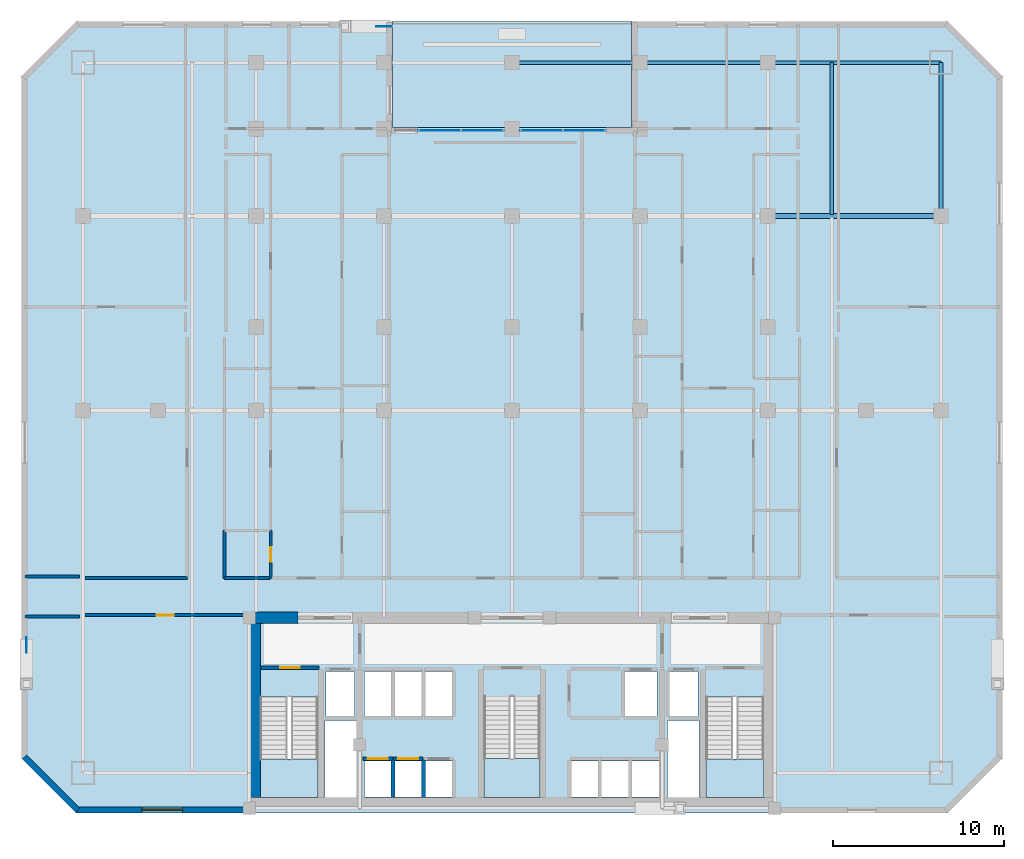
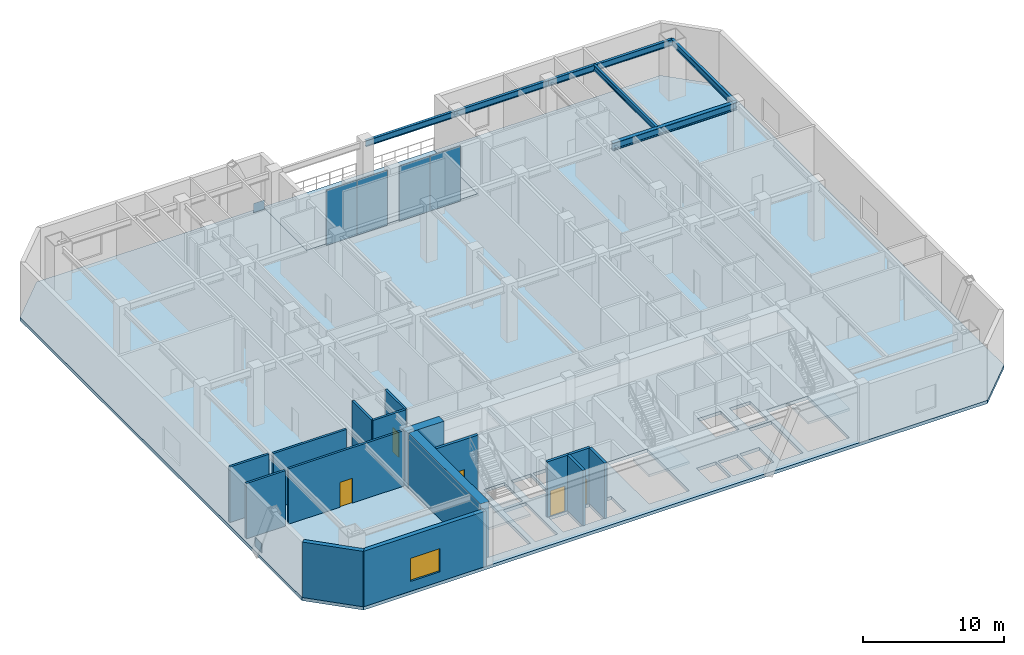
# One storey, part 6 of 12: 16 walls, 6 beams, 6 plates, 5 doors, 5 slabs, 1 window, 6 openings, 5 elements without a shape of their own.
"""IFC4 building model written with IfcOpenShell, lengths in metres."""

from ifc_helpers import new_model, si_unit, direction, frame, frame_2d, origin, origin_2d, place, context, subcontext, project, spatial, polyline, rectangle, i_section, outline, extrude, material, layer, layer_set, material_profile, profile_set, type_object, element, fill, aggregate, save


model = new_model("IFC4")

# Units and contexts
model_context = context("Model", 3, precision=1e-05, world=origin(), true_north=direction((0.0, 1.0)))
body_context = subcontext(model_context, "Body", "Model", "MODEL_VIEW")
ifc_project = project(units=[si_unit("LENGTHUNIT", "METRE"), si_unit("AREAUNIT", "SQUARE_METRE"), si_unit("VOLUMEUNIT", "CUBIC_METRE"), si_unit("PLANEANGLEUNIT", "RADIAN"), si_unit("MASSUNIT", "GRAM", prefix="KILO")], contexts=[model_context])

# Site, building, storey
site_placement = place(None, origin())
site = spatial("IfcSite", under=ifc_project, at=site_placement, CompositionType="ELEMENT")
building_placement = place(site_placement, origin())
building = spatial("IfcBuilding", under=site, at=building_placement, Name="Ventersveld Concourse Tower", CompositionType="ELEMENT")
storey_placement = place(building_placement, frame((0.0, 0.0, 76.0)))
storey = spatial("IfcBuildingStorey", under=building, at=storey_placement, Name="L18", CompositionType="ELEMENT", Elevation=76.0)

# Beams
ifc_material_1 = material(Name="Structural steel S355J2", Category="steel")
ifc_material_profile_1 = material_profile(ifc_material_1, i_section(OverallWidth=0.19140625, OverallDepth=0.4599609375, WebThickness=0.010009765625, FlangeThickness=0.01611328125, FilletRadius=0.01025390625, at=origin_2d()), Name="UB 457x191x82")
ifc_profile_set_1 = profile_set([ifc_material_profile_1], Name="Structural steel S355J2")
beam_type_1 = type_object("IfcBeamType", Name="BM-UB457H", PredefinedType="BEAM", material=ifc_profile_set_1)
beam_1_placement = place(storey_placement, frame((47.5, 35.094970703125, 4.570068359375), z_axis=(0.0, 1.0, 0.0), x_axis=(-1.0, 0.0, 0.0)))
element("IfcBeam", 1, at=beam_1_placement, inside=storey, type_object=beam_type_1, Name="L18 N-S Composite Floor Beam North X=47.50", PredefinedType="BEAM", context=body_context, shape_type="SweptSolid", body=[
    extrude(i_section(OverallWidth=0.19140625, OverallDepth=0.4599609375, WebThickness=0.010009765625, FlangeThickness=0.01611328125, FilletRadius=0.01025390625, at=origin_2d()), origin(), (0.0, 0.0, 1.0), 8.905029296875),
])
ifc_material_profile_2 = material_profile(ifc_material_1, i_section(OverallWidth=0.311279296875, OverallDepth=0.6357421875, WebThickness=0.018310546875, FlangeThickness=0.031494140625, FilletRadius=0.0166015625, at=origin_2d()), Name="UB 610x305x238")
ifc_profile_set_2 = profile_set([ifc_material_profile_2], Name="Structural steel S355J2")
beam_type_2 = type_object("IfcBeamType", Name="GRD-UB610H", PredefinedType="USERDEFINED", material=ifc_profile_set_2)
beam_2_placement = place(storey_placement, frame((43.75, 35.0, 4.482177734375), z_axis=(1.0, 0.0, 0.0), x_axis=(0.0, 1.0, 0.0)))
element("IfcBeam", 2, at=beam_2_placement, inside=storey, type_object=beam_type_2, Name="L18 E-W Grid Girder Y=35.00 #6", ObjectType="GIRDER", PredefinedType="USERDEFINED", context=body_context, shape_type="SweptSolid", body=[
    extrude(i_section(OverallWidth=0.311279296875, OverallDepth=0.6357421875, WebThickness=0.018310546875, FlangeThickness=0.031494140625, FilletRadius=0.0166015625, at=origin_2d()), origin(), (0.0, 0.0, 1.0), 10.14990234375),
])
ifc_material_profile_3 = material_profile(ifc_material_1, i_section(OverallWidth=0.2119140625, OverallDepth=0.54443359375, WebThickness=0.0126953125, FlangeThickness=0.021240234375, FilletRadius=0.0126953125, at=origin_2d()), Name="UB 533x210x122")
ifc_profile_set_3 = profile_set([ifc_material_profile_3], Name="Structural steel S355J2")
beam_type_3 = type_object("IfcBeamType", Name="SPD-UB533", PredefinedType="SPANDREL", material=ifc_profile_set_3)
beam_3_placement = place(storey_placement, frame((53.89990234375, 35.0, 4.527587890625), z_axis=(0.0, 1.0, 0.0), x_axis=(-1.0, 0.0, 0.0)))
element("IfcBeam", 3, at=beam_3_placement, inside=storey, type_object=beam_type_3, Name="L18 East Spandrel Beam N", PredefinedType="SPANDREL", context=body_context, shape_type="SweptSolid", body=[
    extrude(i_section(OverallWidth=0.2119140625, OverallDepth=0.54443359375, WebThickness=0.0126953125, FlangeThickness=0.021240234375, FilletRadius=0.0126953125, at=origin_2d()), origin(), (0.0, 0.0, 1.0), 9.0),
])
for number, where, z_axis, x_axis, name in (
    (4, (28.75, 44.0, 4.527587890625), (1.0, 0.0, 0.0), (0.0, 1.0, 0.0), "L18 North Spandrel Girder Y=44.00 #4"),
    (5, (36.25, 44.0, 4.527587890625), (1.0, 0.0, 0.0), (0.0, 1.0, 0.0), "L18 North Spandrel Girder Y=44.00 #5"),
):
    element("IfcBeam", number, at=place(storey_placement, frame(where, z_axis=z_axis, x_axis=x_axis)), inside=storey, type_object=beam_type_3, Name=name, PredefinedType="SPANDREL", context=body_context, shape_type="SweptSolid", body=[
        extrude(i_section(OverallWidth=0.2119140625, OverallDepth=0.54443359375, WebThickness=0.0126953125, FlangeThickness=0.021240234375, FilletRadius=0.0126953125, at=origin_2d()), origin(), (0.0, 0.0, 1.0), 7.5),
    ])
beam_4_placement = place(storey_placement, frame((43.75, 44.0, 4.527587890625), z_axis=(1.0, 0.0, 0.0), x_axis=(0.0, 1.0, 0.0)))
element("IfcBeam", 6, at=beam_4_placement, inside=storey, type_object=beam_type_3, Name="L18 North Spandrel Girder Y=44.00 #6", PredefinedType="SPANDREL", context=body_context, shape_type="SweptSolid", body=[
    extrude(i_section(OverallWidth=0.2119140625, OverallDepth=0.54443359375, WebThickness=0.0126953125, FlangeThickness=0.021240234375, FilletRadius=0.0126953125, at=origin_2d()), origin(), (0.0, 0.0, 1.0), 10.14990234375),
])

# Curtain wall, plates
ifc_material_2 = material(Name="Anodised aluminium EN AW-6063-T6", Category="aluminium")
curtain_wall_type = type_object("IfcCurtainWallType", Name="CW-SG-4", PredefinedType="NOTDEFINED", material=ifc_material_2)
curtain_wall_1_placement = place(storey_placement, origin())
curtain_wall_1 = element("IfcCurtainWall", 7, at=curtain_wall_1_placement, inside=storey, type_object=curtain_wall_type, Name="L18 L18 Sky Garden Recessed Curtain Wall", PredefinedType="NOTDEFINED")
ifc_material_3 = material(Name="Low-E double glazing IGU", Category="glass")
ifc_layer_1 = layer(ifc_material_3, 0.02392578125)
ifc_layer_set_1 = layer_set([ifc_layer_1], Name="Low-E double glazing IGU")
plate_type_1 = type_object("IfcPlateType", Name="CWP-GLZ-24", PredefinedType="CURTAIN_PANEL", material=ifc_layer_set_1)
plate_1_placement = place(storey_placement, frame((24.5048828125, 40.02490234375, 0.02001953125), z_axis=(0.0, 0.0, 1.0), x_axis=(1.0, 0.0, 0.0)))
plate_1 = element("IfcPlate", 8, at=plate_1_placement, type_object=plate_type_1, Name="CW-L18-SG-S1 Glazed Panel 01-1", PredefinedType="CURTAIN_PANEL", context=body_context, shape_type="SweptSolid", body=[
    extrude(rectangle(XDim=2.5, YDim=0.02392578125, at=origin_2d()), origin(), (0.0, 0.0, 1.0), 4.760009765625),
])
plate_2_placement = place(storey_placement, frame((27.014892578125, 40.02490234375, 0.02001953125), z_axis=(0.0, 0.0, 1.0), x_axis=(1.0, 0.0, 0.0)))
plate_2 = element("IfcPlate", 9, at=plate_2_placement, type_object=plate_type_1, Name="CW-L18-SG-S1 Glazed Panel 02-1", PredefinedType="CURTAIN_PANEL", context=body_context, shape_type="SweptSolid", body=[
    extrude(rectangle(XDim=2.5, YDim=0.02392578125, at=origin_2d()), origin(), (0.0, 0.0, 1.0), 4.760009765625),
])
aggregate(curtain_wall_1, [plate_1, plate_2])

curtain_wall_2_placement = place(storey_placement, origin())
curtain_wall_2 = element("IfcCurtainWall", 10, at=curtain_wall_2_placement, inside=storey, type_object=curtain_wall_type, Name="L18 L18 Sky Garden Recessed Curtain Wall", PredefinedType="NOTDEFINED")
plate_3_placement = place(storey_placement, frame((30.485107421875, 40.02490234375, 0.02001953125), z_axis=(0.0, 0.0, 1.0), x_axis=(1.0, 0.0, 0.0)))
plate_3 = element("IfcPlate", 11, at=plate_3_placement, type_object=plate_type_1, Name="CW-L18-SG-S2 Glazed Panel 01-1", PredefinedType="CURTAIN_PANEL", context=body_context, shape_type="SweptSolid", body=[
    extrude(rectangle(XDim=2.5, YDim=0.02392578125, at=origin_2d()), origin(), (0.0, 0.0, 1.0), 4.760009765625),
])
plate_4_placement = place(storey_placement, frame((32.9951171875, 40.02490234375, 0.02001953125), z_axis=(0.0, 0.0, 1.0), x_axis=(1.0, 0.0, 0.0)))
plate_4 = element("IfcPlate", 12, at=plate_4_placement, type_object=plate_type_1, Name="CW-L18-SG-S2 Glazed Panel 02-1", PredefinedType="CURTAIN_PANEL", context=body_context, shape_type="SweptSolid", body=[
    extrude(rectangle(XDim=2.5, YDim=0.02392578125, at=origin_2d()), origin(), (0.0, 0.0, 1.0), 4.760009765625),
])
aggregate(curtain_wall_2, [plate_3, plate_4])

# Plates
ifc_layer_2 = layer(ifc_material_1, 0.030029296875)
ifc_layer_set_2 = layer_set([ifc_layer_2], Name="Structural steel S355J2")
plate_type_2 = type_object("IfcPlateType", Name="PL-CAP-30", PredefinedType="USERDEFINED", material=ifc_layer_set_2)
for number, where, z_axis, x_axis, name in (
    (13, (21.25, 46.1201171875, -0.099853515625), (0.0, 0.0, 1.0), (1.0, 0.0, 0.0), "L18 Mega-Brace Gusset Node Plate M04-N"),
    (14, (0.280029296875, 9.85009765625, -0.099853515625), (0.0, 0.0, 1.0), (0.0, 1.0, 0.0), "L18 Mega-Brace Gusset Node Plate M04-W"),
):
    element("IfcPlate", number, at=place(storey_placement, frame(where, z_axis=z_axis, x_axis=x_axis)), inside=storey, type_object=plate_type_2, Name=name, ObjectType="GUSSET_PLATE", PredefinedType="USERDEFINED", context=body_context, shape_type="SweptSolid", body=[
        extrude(rectangle(XDim=0.89990234375, YDim=0.030029296875, at=origin_2d()), origin(), (0.0, 0.0, 1.0), 0.89990234375),
    ])

# Slab
ifc_material_4 = material(Name="Concrete C50/60", Category="concrete")
ifc_layer_3 = layer(ifc_material_4, 0.280029296875)
ifc_layer_set_3 = layer_set([ifc_layer_3], Name="Concrete C50/60")
slab_type_1 = type_object("IfcSlabType", Name="SL-FLR-280", PredefinedType="FLOOR", material=ifc_layer_set_3)
slab_1_placement = place(storey_placement, frame((0.0, 0.0, -0.280029296875)))
element("IfcSlab", 15, at=slab_1_placement, inside=storey, type_object=slab_type_1, Name="L18 Composite Floor Slab", PredefinedType="FLOOR", context=body_context, shape_type="SweptSolid", body=[
    extrude(outline(polyline([(3.199951171875, 0.0), (54.300048828125, 0.0), (57.5, 3.199951171875), (57.5, 43.199951171875), (54.300048828125, 46.39990234375), (35.75, 46.39990234375), (35.75, 40.199951171875), (21.75, 40.199951171875), (21.75, 46.39990234375), (3.199951171875, 46.39990234375), (0.0, 43.199951171875), (0.0, 3.199951171875), (3.199951171875, 0.0)]), holes=[polyline([(13.97998046875, 6.794921875), (13.97998046875, 0.89990234375), (17.3798828125, 0.89990234375), (17.3798828125, 6.794921875), (13.97998046875, 6.794921875)]), polyline([(40.1201171875, 6.794921875), (40.1201171875, 0.89990234375), (43.52001953125, 0.89990234375), (43.52001953125, 6.794921875), (40.1201171875, 6.794921875)]), polyline([(27.10009765625, 6.844970703125), (27.10009765625, 0.89990234375), (30.39990234375, 0.89990234375), (30.39990234375, 6.844970703125), (27.10009765625, 6.844970703125)]), polyline([(17.85009765625, 5.699951171875), (19.530029296875, 5.699951171875), (19.530029296875, 8.300048828125), (17.85009765625, 8.300048828125), (17.85009765625, 5.699951171875)]), polyline([(37.969970703125, 5.699951171875), (39.64990234375, 5.699951171875), (39.64990234375, 8.300048828125), (37.969970703125, 8.300048828125), (37.969970703125, 5.699951171875)]), polyline([(35.35009765625, 5.699951171875), (37.25, 5.699951171875), (37.25, 8.300048828125), (35.35009765625, 8.300048828125), (35.35009765625, 5.699951171875)]), polyline([(20.090087890625, 0.949951171875), (21.68994140625, 0.949951171875), (21.68994140625, 3.050048828125), (20.090087890625, 3.050048828125), (20.090087890625, 0.949951171875)]), polyline([(21.8701171875, 0.949951171875), (23.469970703125, 0.949951171875), (23.469970703125, 3.050048828125), (21.8701171875, 3.050048828125), (21.8701171875, 0.949951171875)]), polyline([(23.64990234375, 0.949951171875), (25.25, 0.949951171875), (25.25, 3.050048828125), (23.64990234375, 3.050048828125), (23.64990234375, 0.949951171875)]), polyline([(32.2099609375, 0.949951171875), (33.81005859375, 0.949951171875), (33.81005859375, 3.050048828125), (32.2099609375, 3.050048828125), (32.2099609375, 0.949951171875)]), polyline([(33.989990234375, 0.949951171875), (35.590087890625, 0.949951171875), (35.590087890625, 3.050048828125), (33.989990234375, 3.050048828125), (33.989990234375, 0.949951171875)]), polyline([(35.77001953125, 0.949951171875), (37.3701171875, 0.949951171875), (37.3701171875, 3.050048828125), (35.77001953125, 3.050048828125), (35.77001953125, 0.949951171875)]), polyline([(20.090087890625, 5.699951171875), (21.68994140625, 5.699951171875), (21.68994140625, 8.300048828125), (20.090087890625, 8.300048828125), (20.090087890625, 5.699951171875)]), polyline([(21.8701171875, 5.699951171875), (23.469970703125, 5.699951171875), (23.469970703125, 8.300048828125), (21.8701171875, 8.300048828125), (21.8701171875, 5.699951171875)]), polyline([(23.64990234375, 5.699951171875), (25.25, 5.699951171875), (25.25, 8.300048828125), (23.64990234375, 8.300048828125), (23.64990234375, 5.699951171875)]), polyline([(17.780029296875, 0.919921875), (19.6201171875, 0.919921875), (19.6201171875, 5.419921875), (17.780029296875, 5.419921875), (17.780029296875, 0.919921875)]), polyline([(37.8798828125, 0.919921875), (39.719970703125, 0.919921875), (39.719970703125, 5.419921875), (37.8798828125, 5.419921875), (37.8798828125, 0.919921875)])]), origin(), (0.0, 0.0, 1.0), 0.280029296875),
])

# Stair, slab
stair_type_1 = type_object("IfcStairType", Name="ST-DOG-160", PredefinedType="HALF_TURN_STAIR", material=ifc_material_4)
stair_1_placement = place(storey_placement, origin())
stair_1 = element("IfcStair", 16, at=stair_1_placement, inside=storey, type_object=stair_type_1, Name="L18 Protected Tower Escape Stair ST-01", PredefinedType="HALF_TURN_STAIR")
ifc_layer_4 = layer(ifc_material_4, 0.199951171875)
ifc_layer_set_4 = layer_set([ifc_layer_4], Name="Concrete C50/60")
slab_type_2 = type_object("IfcSlabType", Name="SL-LND-200", PredefinedType="LANDING", material=ifc_layer_set_4)
slab_2_placement = place(storey_placement, frame((0.0, 0.0, 2.324951171875)))
slab_2 = element("IfcSlab", 17, at=slab_2_placement, type_object=slab_type_2, Name="ST-01 landing 1", PredefinedType="LANDING", context=body_context, shape_type="SweptSolid", body=[
    extrude(outline(polyline([(13.97998046875, 3.159912109375), (13.97998046875, 0.89990234375), (17.3798828125, 0.89990234375), (17.3798828125, 3.159912109375), (13.97998046875, 3.159912109375)])), origin(), (0.0, 0.0, 1.0), 0.199951171875),
])
aggregate(stair_1, [slab_2])

stair_2_placement = place(storey_placement, origin())
stair_2 = element("IfcStair", 18, at=stair_2_placement, inside=storey, type_object=stair_type_1, Name="L18 Protected Tower Escape Stair ST-02", PredefinedType="HALF_TURN_STAIR")
slab_3_placement = place(storey_placement, frame((0.0, 0.0, 2.324951171875)))
slab_3 = element("IfcSlab", 19, at=slab_3_placement, type_object=slab_type_2, Name="ST-02 landing 1", PredefinedType="LANDING", context=body_context, shape_type="SweptSolid", body=[
    extrude(outline(polyline([(40.1201171875, 3.159912109375), (40.1201171875, 0.89990234375), (43.52001953125, 0.89990234375), (43.52001953125, 3.159912109375), (40.1201171875, 3.159912109375)])), origin(), (0.0, 0.0, 1.0), 0.199951171875),
])
aggregate(stair_2, [slab_3])

stair_type_2 = type_object("IfcStairType", Name="ST-DOG-155", PredefinedType="HALF_TURN_STAIR", material=ifc_material_4)
stair_3_placement = place(storey_placement, origin())
stair_3 = element("IfcStair", 20, at=stair_3_placement, inside=storey, type_object=stair_type_2, Name="L18 Protected Central Core Escape Stair ST-03", PredefinedType="HALF_TURN_STAIR")
slab_4_placement = place(storey_placement, frame((0.0, 0.0, 2.324951171875)))
slab_4 = element("IfcSlab", 21, at=slab_4_placement, type_object=slab_type_2, Name="ST-03 landing 1", PredefinedType="LANDING", context=body_context, shape_type="SweptSolid", body=[
    extrude(outline(polyline([(27.10009765625, 3.2099609375), (27.10009765625, 0.89990234375), (30.39990234375, 0.89990234375), (30.39990234375, 3.2099609375), (27.10009765625, 3.2099609375)])), origin(), (0.0, 0.0, 1.0), 0.199951171875),
])
aggregate(stair_3, [slab_4])

# Slab
ifc_layer_5 = layer(ifc_material_4, 0.25)
ifc_layer_set_5 = layer_set([ifc_layer_5], Name="Concrete C50/60")
slab_type_3 = type_object("IfcSlabType", Name="SL-ROOF-250", PredefinedType="ROOF", material=ifc_layer_set_5)
slab_5_placement = place(storey_placement, frame((0.0, 0.0, -0.25)))
element("IfcSlab", 22, at=slab_5_placement, inside=storey, type_object=slab_type_3, Name="L18 Outdoor Terrace Slab SKYGARDEN", PredefinedType="ROOF", context=body_context, shape_type="SweptSolid", body=[
    extrude(outline(polyline([(21.75, 40.199951171875), (35.75, 40.199951171875), (35.75, 46.39990234375), (21.75, 46.39990234375), (21.75, 40.199951171875)])), origin(), (0.0, 0.0, 1.0), 0.25),
])

# Walls
ifc_material_5 = material(Name="Concrete C60/75", Category="concrete")
ifc_layer_6 = layer(ifc_material_5, 0.699951171875)
ifc_layer_set_6 = layer_set([ifc_layer_6], Name="Concrete C60/75")
wall_type_1 = type_object("IfcWallType", Name="WL-CORE-700", PredefinedType="SHEAR", material=ifc_layer_set_6)
wall_1_placement = place(storey_placement, frame((13.64990234375, 0.919921875, 0.0), z_axis=(0.0, 0.0, 1.0), x_axis=(0.0, 1.0, 0.0)))
element("IfcWall", 23, at=wall_1_placement, inside=storey, type_object=wall_type_1, Name="L18 Rear Core West Shear Wall", PredefinedType="SHEAR", context=body_context, shape_type="SweptSolid", body=[
    extrude(rectangle(XDim=10.530029296875, YDim=0.699951171875, at=frame_2d((5.26513671875, 0.0))), origin(), (0.0, 0.0, 1.0), 4.800048828125),
])
wall_2_placement = place(storey_placement, frame((13.25, 11.449951171875, 0.0), z_axis=(0.0, 0.0, 1.0), x_axis=(1.0, 0.0, 0.0)))
element("IfcWall", 24, at=wall_2_placement, inside=storey, type_object=wall_type_1, Name="L18 Rear Core North Shear Wall NW", PredefinedType="SHEAR", context=body_context, shape_type="SweptSolid", body=[
    extrude(rectangle(XDim=2.949951171875, YDim=0.699951171875, at=frame_2d((1.47509765625, 0.0))), origin(), (0.0, 0.0, 1.0), 4.800048828125),
])

# Wall, opening, door
ifc_material_6 = material(Name="Fire-rated autoclaved aerated masonry blockwork", Category="masonry")
ifc_layer_7 = layer(ifc_material_6, 0.179931640625)
ifc_layer_set_7 = layer_set([ifc_layer_7], Name="Fire-rated autoclaved aerated masonry blockwork")
wall_type_2 = type_object("IfcWallType", Name="WL-CORR-180", PredefinedType="PARTITIONING", material=ifc_layer_set_7)
wall_3_placement = place(storey_placement, frame((3.705078125, 11.60009765625, 0.0), z_axis=(0.0, 0.0, 1.0), x_axis=(1.0, 0.0, 0.0)))
wall_3 = element("IfcWall", 25, at=wall_3_placement, inside=storey, type_object=wall_type_2, Name="L18 Interior Partition SP-L18-SW-GAL-SP-L18-COR", PredefinedType="PARTITIONING", context=body_context, shape_type="SweptSolid", body=[
    extrude(rectangle(XDim=9.43994140625, YDim=0.179931640625, at=frame_2d((4.719970703125, 0.0))), origin(), (0.0, 0.0, 1.0), 4.800048828125),
])
opening_1_placement = place(wall_3_placement, frame((4.219970703125, 0.0, 0.0)))
opening_1 = element("IfcOpeningElement", 26, at=opening_1_placement, cuts=wall_3, Name="Opening FD3", PredefinedType="OPENING", context=body_context, shape_type="SweptSolid", body=[
    extrude(rectangle(XDim=1.0, YDim=2.14990234375, at=frame_2d((0.5, 1.074951171875))), frame((0.0, 0.10009765625, 0.0), z_axis=(0.0, -1.0, 0.0), x_axis=(1.0, 0.0, 0.0)), (0.0, 0.0, 1.0), 0.199951171875),
])
ifc_material_7 = material(Name="Solid-core hardwood veneer timber", Category="wood")
door_type_1 = type_object("IfcDoorType", Name="DR-FLAT-100", OperationType="NOTDEFINED", PredefinedType="DOOR", material=ifc_material_7)
door_1_placement = place(opening_1_placement, origin())
door_1 = element("IfcDoor", 27, at=door_1_placement, inside=storey, type_object=door_type_1, Name="L18 Interior Door SP-L18-SW-GAL to SP-L18-COR (D-L18-0843)", OperationType="SINGLE_SWING_LEFT", OverallHeight=2.14990234375, OverallWidth=1.0, PredefinedType="DOOR", context=body_context, shape_type="SweptSolid", body=[
    extrude(rectangle(XDim=1.0, YDim=2.14990234375, at=frame_2d((0.5, 1.074951171875))), frame((0.0, 0.02490234375, 0.0), z_axis=(0.0, -1.0, 0.0), x_axis=(1.0, 0.0, 0.0)), (0.0, 0.0, 1.0), 0.050048828125),
])
fill(opening_1, door_1)

# Walls
wall_4_placement = place(storey_placement, frame((3.705078125, 13.77001953125, 0.0), z_axis=(0.0, 0.0, 1.0), x_axis=(1.0, 0.0, 0.0)))
element("IfcWall", 28, at=wall_4_placement, inside=storey, type_object=wall_type_2, Name="L18 Interior Partition SP-L18-COR-SP-L18-NWLNG1", PredefinedType="PARTITIONING", context=body_context, shape_type="SweptSolid", body=[
    extrude(rectangle(XDim=6.010009765625, YDim=0.179931640625, at=frame_2d((3.0048828125, 0.0))), origin(), (0.0, 0.0, 1.0), 4.800048828125),
])
wall_5_placement = place(storey_placement, frame((11.889892578125, 13.764892578125, 0.0), z_axis=(0.0, 0.0, 1.0), x_axis=(0.0, 1.0, 0.0)))
element("IfcWall", 29, at=wall_5_placement, inside=storey, type_object=wall_type_2, Name="L18 Interior Partition SP-L18-COR-SP-L18-18CW-BATH", PredefinedType="PARTITIONING", context=body_context, shape_type="SweptSolid", body=[
    extrude(rectangle(XDim=2.79150390625, YDim=0.179931640625, at=frame_2d((1.395751953125, 0.0))), origin(), (0.0, 0.0, 1.0), 4.800048828125),
])
wall_6_placement = place(storey_placement, frame((11.885009765625, 13.77001953125, 0.0), z_axis=(0.0, 0.0, 1.0), x_axis=(1.0, 0.0, 0.0)))
element("IfcWall", 30, at=wall_6_placement, inside=storey, type_object=wall_type_2, Name="L18 Interior Partition SP-L18-COR-SP-L18-18CW-BATH", PredefinedType="PARTITIONING", context=body_context, shape_type="SweptSolid", body=[
    extrude(rectangle(XDim=2.687255859375, YDim=0.179931640625, at=frame_2d((1.34375, 0.0))), origin(), (0.0, 0.0, 1.0), 4.800048828125),
])
wall_7_placement = place(storey_placement, frame((0.2099609375, 11.52001953125, 0.0), z_axis=(0.0, 0.0, 1.0), x_axis=(1.0, 0.0, 0.0)))
element("IfcWall", 31, at=wall_7_placement, inside=storey, type_object=wall_type_2, Name="L18 Room Enclosure Wall SP-L18-SW-GAL", PredefinedType="PARTITIONING", context=body_context, shape_type="SweptSolid", body=[
    extrude(rectangle(XDim=3.177734375, YDim=0.179931640625, at=frame_2d((1.5888671875, 0.0))), origin(), (0.0, 0.0, 1.0), 4.800048828125),
])
wall_8_placement = place(storey_placement, frame((3.39013671875, 13.860107421875, 0.0), z_axis=(0.0, 0.0, 1.0), x_axis=(-1.0, 0.0, 0.0)))
element("IfcWall", 32, at=wall_8_placement, inside=storey, type_object=wall_type_2, Name="L18 Room Enclosure Wall SP-L18-NWLNG1", PredefinedType="PARTITIONING", context=body_context, shape_type="SweptSolid", body=[
    extrude(rectangle(XDim=3.18017578125, YDim=0.179931640625, at=frame_2d((1.590087890625, 0.0))), origin(), (0.0, 0.0, 1.0), 4.800048828125),
])
ifc_layer_8 = layer(ifc_material_6, 0.219970703125)
ifc_layer_set_8 = layer_set([ifc_layer_8], Name="Fire-rated autoclaved aerated masonry blockwork")
wall_type_3 = type_object("IfcWallType", Name="WL-HOIST-220", PredefinedType="SOLIDWALL", material=ifc_layer_set_8)
wall_9_placement = place(storey_placement, frame((21.780029296875, 0.89990234375, 0.0), z_axis=(0.0, 0.0, 1.0), x_axis=(0.0, 1.0, 0.0)))
element("IfcWall", 33, at=wall_9_placement, inside=storey, type_object=wall_type_3, Name="L18 Lift Hoistway Side Wall PL-01E", PredefinedType="SOLIDWALL", context=body_context, shape_type="SweptSolid", body=[
    extrude(rectangle(XDim=2.2001953125, YDim=0.219970703125, at=frame_2d((1.10009765625, 0.0))), origin(), (0.0, 0.0, 1.0), 4.800048828125),
])

# Wall, opening, door
wall_10_placement = place(storey_placement, frame((20.02001953125, 3.179931640625, 0.0), z_axis=(0.0, 0.0, 1.0), x_axis=(1.0, 0.0, 0.0)))
wall_10 = element("IfcWall", 34, at=wall_10_placement, inside=storey, type_object=wall_type_3, Name="L18 Lift Hoistway Front Wall PL-01", PredefinedType="SOLIDWALL", context=body_context, shape_type="SweptSolid", body=[
    extrude(rectangle(XDim=1.739990234375, YDim=0.219970703125, at=frame_2d((0.8701171875, 0.0))), origin(), (0.0, 0.0, 1.0), 4.800048828125),
])
opening_2_placement = place(wall_10_placement, frame((0.280029296875, 0.0, 0.0)))
opening_2 = element("IfcOpeningElement", 35, at=opening_2_placement, cuts=wall_10, Name="Opening LD2", PredefinedType="OPENING", context=body_context, shape_type="SweptSolid", body=[
    extrude(rectangle(XDim=1.179931640625, YDim=2.199951171875, at=frame_2d((0.58984375, 1.10009765625))), frame((0.0, 0.1201171875, 0.0), z_axis=(0.0, -1.0, 0.0), x_axis=(1.0, 0.0, 0.0)), (0.0, 0.0, 1.0), 0.239990234375),
])
ifc_material_8 = material(Name="Brushed stainless steel 316", Category="steel")
door_type_2 = type_object("IfcDoorType", Name="LD-PAX-118", OperationType="SLIDING_TO_LEFT", PredefinedType="DOOR", material=ifc_material_8)
door_2_placement = place(opening_2_placement, origin())
door_2 = element("IfcDoor", 36, at=door_2_placement, inside=storey, type_object=door_type_2, Name="L18 Lift landing door PL-01 (LD-L18-PL-01)", OperationType="SLIDING_TO_RIGHT", OverallHeight=2.199951171875, OverallWidth=1.179931640625, PredefinedType="DOOR", context=body_context, shape_type="SweptSolid", body=[
    extrude(rectangle(XDim=1.179931640625, YDim=2.199951171875, at=frame_2d((0.58984375, 1.10009765625))), frame((0.0, 0.02490234375, 0.0), z_axis=(0.0, -1.0, 0.0), x_axis=(1.0, 0.0, 0.0)), (0.0, 0.0, 1.0), 0.050048828125),
])
fill(opening_2, door_2)

# Wall
wall_11_placement = place(storey_placement, frame((23.56005859375, 0.89990234375, 0.0), z_axis=(0.0, 0.0, 1.0), x_axis=(0.0, 1.0, 0.0)))
element("IfcWall", 37, at=wall_11_placement, inside=storey, type_object=wall_type_3, Name="L18 Lift Hoistway Side Wall PL-02E", PredefinedType="SOLIDWALL", context=body_context, shape_type="SweptSolid", body=[
    extrude(rectangle(XDim=2.2001953125, YDim=0.219970703125, at=frame_2d((1.10009765625, 0.0))), origin(), (0.0, 0.0, 1.0), 4.800048828125),
])

# Wall, opening, door
wall_12_placement = place(storey_placement, frame((21.800048828125, 3.179931640625, 0.0), z_axis=(0.0, 0.0, 1.0), x_axis=(1.0, 0.0, 0.0)))
wall_12 = element("IfcWall", 38, at=wall_12_placement, inside=storey, type_object=wall_type_3, Name="L18 Lift Hoistway Front Wall PL-02", PredefinedType="SOLIDWALL", context=body_context, shape_type="SweptSolid", body=[
    extrude(rectangle(XDim=1.739990234375, YDim=0.219970703125, at=frame_2d((0.8701171875, 0.0))), origin(), (0.0, 0.0, 1.0), 4.800048828125),
])
opening_3_placement = place(wall_12_placement, frame((0.280029296875, 0.0, 0.0)))
opening_3 = element("IfcOpeningElement", 39, at=opening_3_placement, cuts=wall_12, Name="Opening LD2", PredefinedType="OPENING", context=body_context, shape_type="SweptSolid", body=[
    extrude(rectangle(XDim=1.179931640625, YDim=2.199951171875, at=frame_2d((0.58984375, 1.10009765625))), frame((0.0, 0.1201171875, 0.0), z_axis=(0.0, -1.0, 0.0), x_axis=(1.0, 0.0, 0.0)), (0.0, 0.0, 1.0), 0.239990234375),
])
door_3_placement = place(opening_3_placement, origin())
door_3 = element("IfcDoor", 40, at=door_3_placement, inside=storey, type_object=door_type_2, Name="L18 Lift landing door PL-02 (LD-L18-PL-02)", OperationType="SLIDING_TO_LEFT", OverallHeight=2.199951171875, OverallWidth=1.179931640625, PredefinedType="DOOR", context=body_context, shape_type="SweptSolid", body=[
    extrude(rectangle(XDim=1.179931640625, YDim=2.199951171875, at=frame_2d((0.58984375, 1.10009765625))), frame((0.0, 0.02490234375, 0.0), z_axis=(0.0, -1.0, 0.0), x_axis=(1.0, 0.0, 0.0)), (0.0, 0.0, 1.0), 0.050048828125),
])
fill(opening_3, door_3)

wall_13_placement = place(storey_placement, frame((14.0400390625, 8.52001953125, 0.0), z_axis=(0.0, 0.0, 1.0), x_axis=(1.0, 0.0, 0.0)))
wall_13 = element("IfcWall", 41, at=wall_13_placement, inside=storey, type_object=wall_type_3, Name="L18 Escape Stair ST01 Fire Wall", PredefinedType="SOLIDWALL", context=body_context, shape_type="SweptSolid", body=[
    extrude(rectangle(XDim=3.39990234375, YDim=0.219970703125, at=frame_2d((1.699951171875, 0.0))), origin(), (0.0, 0.0, 1.0), 4.800048828125),
])
opening_4_placement = place(wall_13_placement, frame((1.125, 0.0, 0.0)))
opening_4 = element("IfcOpeningElement", 42, at=opening_4_placement, cuts=wall_13, Name="Opening FD1", PredefinedType="OPENING", context=body_context, shape_type="SweptSolid", body=[
    extrude(rectangle(XDim=1.14990234375, YDim=2.199951171875, at=frame_2d((0.574951171875, 1.10009765625))), frame((0.0, 0.1201171875, 0.0), z_axis=(0.0, -1.0, 0.0), x_axis=(1.0, 0.0, 0.0)), (0.0, 0.0, 1.0), 0.239990234375),
])
ifc_material_9 = material(Name="Galvanised painted steel", Category="steel")
door_type_3 = type_object("IfcDoorType", Name="DR-STAIR-115", OperationType="NOTDEFINED", PredefinedType="DOOR", material=ifc_material_9)
door_4_placement = place(opening_4_placement, origin())
door_4 = element("IfcDoor", 43, at=door_4_placement, inside=storey, type_object=door_type_3, Name="L18 Escape Stair Door ST01 (SD-L18-0834)", OperationType="SINGLE_SWING_LEFT", OverallHeight=2.199951171875, OverallWidth=1.14990234375, PredefinedType="DOOR", context=body_context, shape_type="SweptSolid", body=[
    extrude(rectangle(XDim=1.14990234375, YDim=2.199951171875, at=frame_2d((0.574951171875, 1.10009765625))), frame((0.0, 0.02490234375, 0.0), z_axis=(0.0, -1.0, 0.0), x_axis=(1.0, 0.0, 0.0)), (0.0, 0.0, 1.0), 0.050048828125),
])
fill(opening_4, door_4)

# Wall, opening, window
ifc_material_10 = material(Name="Precast concrete C45/55", Category="concrete")
ifc_layer_9 = layer(ifc_material_10, 0.35009765625)
ifc_layer_set_9 = layer_set([ifc_layer_9], Name="Precast concrete C45/55")
wall_type_4 = type_object("IfcWallType", Name="WL-PREC-350", PredefinedType="SOLIDWALL", material=ifc_layer_set_9)
wall_14_placement = place(storey_placement, frame((3.239990234375, 0.179931640625, 0.0), z_axis=(0.0, 0.0, 1.0), x_axis=(1.0, 0.0, 0.0)))
wall_14 = element("IfcWall", 44, at=wall_14_placement, inside=storey, type_object=wall_type_4, Name="L18 South-West Flank Precast Wall", PredefinedType="SOLIDWALL", context=body_context, shape_type="SweptSolid", body=[
    extrude(rectangle(XDim=10.010009765625, YDim=0.35009765625, at=frame_2d((5.0048828125, 0.0))), origin(), (0.0, 0.0, 1.0), 4.800048828125),
])
opening_5_placement = place(wall_14_placement, frame((3.804931640625, 0.0, 0.85009765625)))
opening_5 = element("IfcOpeningElement", 45, at=opening_5_placement, cuts=wall_14, Name="Opening W5", PredefinedType="OPENING", context=body_context, shape_type="SweptSolid", body=[
    extrude(rectangle(XDim=2.39990234375, YDim=2.0, at=frame_2d((1.199951171875, 1.0))), frame((0.0, 0.18505859375, 0.0), z_axis=(0.0, -1.0, 0.0), x_axis=(1.0, 0.0, 0.0)), (0.0, 0.0, 1.0), 0.3701171875),
])
ifc_material_11 = material(Name="Tempered acoustic Low-E IGU", Category="glass")
window_type = type_object("IfcWindowType", Name="WIN-240x210", PartitioningType="SINGLE_PANEL", PredefinedType="WINDOW", material=ifc_material_11)
window_placement = place(opening_5_placement, origin())
window = element("IfcWindow", 46, at=window_placement, inside=storey, type_object=window_type, Name="L18 Punched Low-E Window W-0178", OverallHeight=2.0, OverallWidth=2.39990234375, PartitioningType="SINGLE_PANEL", PredefinedType="WINDOW", context=body_context, shape_type="SweptSolid", body=[
    extrude(rectangle(XDim=2.39990234375, YDim=2.0, at=frame_2d((1.199951171875, 1.0))), frame((0.0, 0.030029296875, 0.0), z_axis=(0.0, -1.0, 0.0), x_axis=(1.0, 0.0, 0.0)), (0.0, 0.0, 1.0), 0.06005859375),
])
fill(opening_5, window)

# Wall
wall_15_placement = place(storey_placement, frame((0.152099609375, 3.29541015625, 0.0), z_axis=(0.0, 0.0, 1.0), x_axis=(0.707106781187, -0.707106781187, 0.0)))
element("IfcWall", 47, at=wall_15_placement, inside=storey, type_object=wall_type_4, Name="L18 Highveld Precast Facade Wall E12", PredefinedType="SOLIDWALL", context=body_context, shape_type="SweptSolid", body=[
    extrude(rectangle(XDim=4.4453125, YDim=0.35009765625, at=frame_2d((2.22265625, 0.0))), origin(), (0.0, 0.0, 1.0), 4.800048828125),
])

# Wall, opening, door
ifc_material_12 = material(Name="Autoclaved aerated masonry blockwork", Category="masonry")
ifc_layer_10 = layer(ifc_material_12, 0.1650390625)
ifc_layer_set_10 = layer_set([ifc_layer_10], Name="Autoclaved aerated masonry blockwork")
wall_type_5 = type_object("IfcWallType", Name="WL-WET-165", PredefinedType="PLUMBINGWALL", material=ifc_layer_set_10)
wall_16_placement = place(storey_placement, frame((14.607177734375, 13.764892578125, 0.0), z_axis=(0.0, 0.0, 1.0), x_axis=(0.0, 1.0, 0.0)))
wall_16 = element("IfcWall", 48, at=wall_16_placement, inside=storey, type_object=wall_type_5, Name="L18 Interior Partition SP-L18-18CW-FOY-SP-L18-18CW-BATH", PredefinedType="PLUMBINGWALL", context=body_context, shape_type="SweptSolid", body=[
    extrude(rectangle(XDim=2.79150390625, YDim=0.1650390625, at=frame_2d((1.395751953125, 0.0))), origin(), (0.0, 0.0, 1.0), 4.800048828125),
])
opening_6_placement = place(wall_16_placement, frame((0.970703125, 0.0, 0.0)))
opening_6 = element("IfcOpeningElement", 49, at=opening_6_placement, cuts=wall_16, Name="Opening ID2", PredefinedType="OPENING", context=body_context, shape_type="SweptSolid", body=[
    extrude(rectangle(XDim=0.85009765625, YDim=2.10009765625, at=frame_2d((0.425048828125, 1.050048828125))), frame((0.0, 0.092529296875, 0.0), z_axis=(0.0, -1.0, 0.0), x_axis=(1.0, 0.0, 0.0)), (0.0, 0.0, 1.0), 0.18505859375),
])
door_type_4 = type_object("IfcDoorType", Name="DR-BATH-085", OperationType="NOTDEFINED", PredefinedType="DOOR", material=ifc_material_7)
door_5_placement = place(opening_6_placement, origin())
door_5 = element("IfcDoor", 50, at=door_5_placement, inside=storey, type_object=door_type_4, Name="L18 Interior Door SP-L18-18CW-FOY to SP-L18-18CW-BATH (D-L18-0855)", OperationType="SINGLE_SWING_LEFT", OverallHeight=2.10009765625, OverallWidth=0.85009765625, PredefinedType="DOOR", context=body_context, shape_type="SweptSolid", body=[
    extrude(rectangle(XDim=0.85009765625, YDim=2.10009765625, at=frame_2d((0.425048828125, 1.050048828125))), frame((0.0, 0.02490234375, 0.0), z_axis=(0.0, -1.0, 0.0), x_axis=(1.0, 0.0, 0.0)), (0.0, 0.0, 1.0), 0.050048828125),
])
fill(opening_6, door_5)

save(model, "model.ifc")
